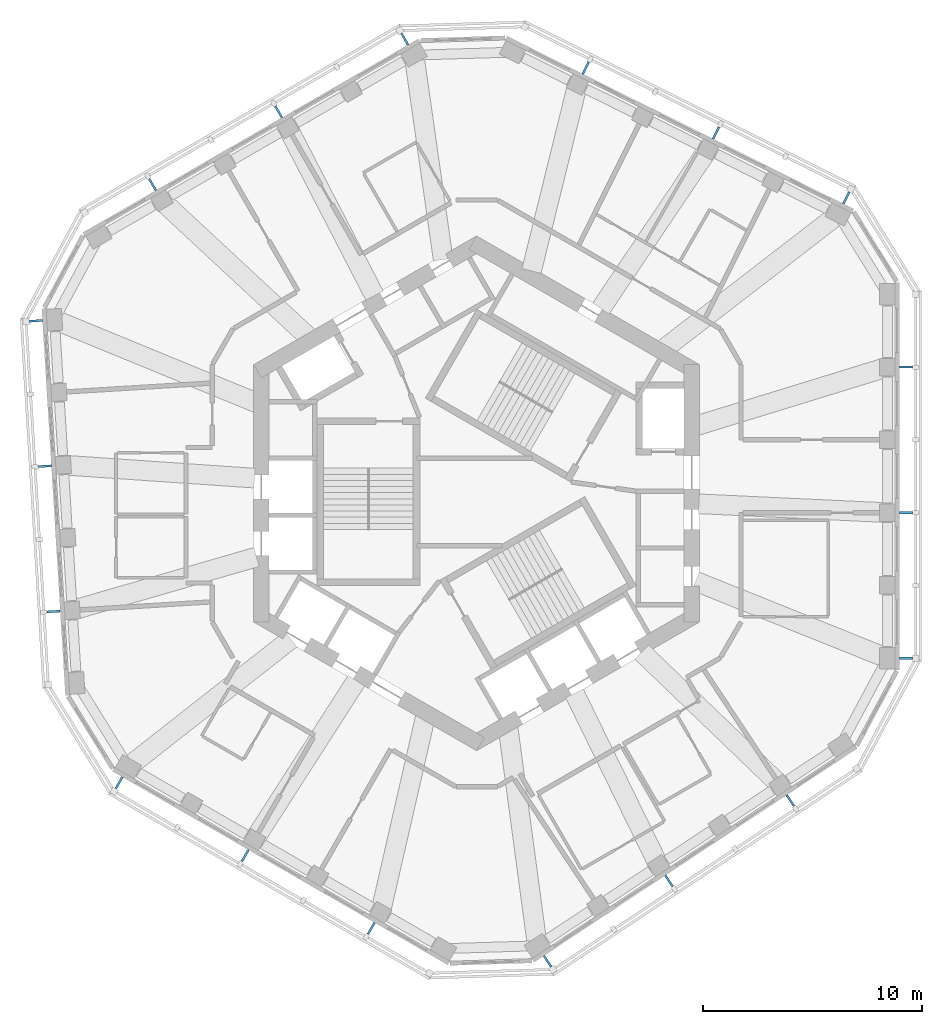
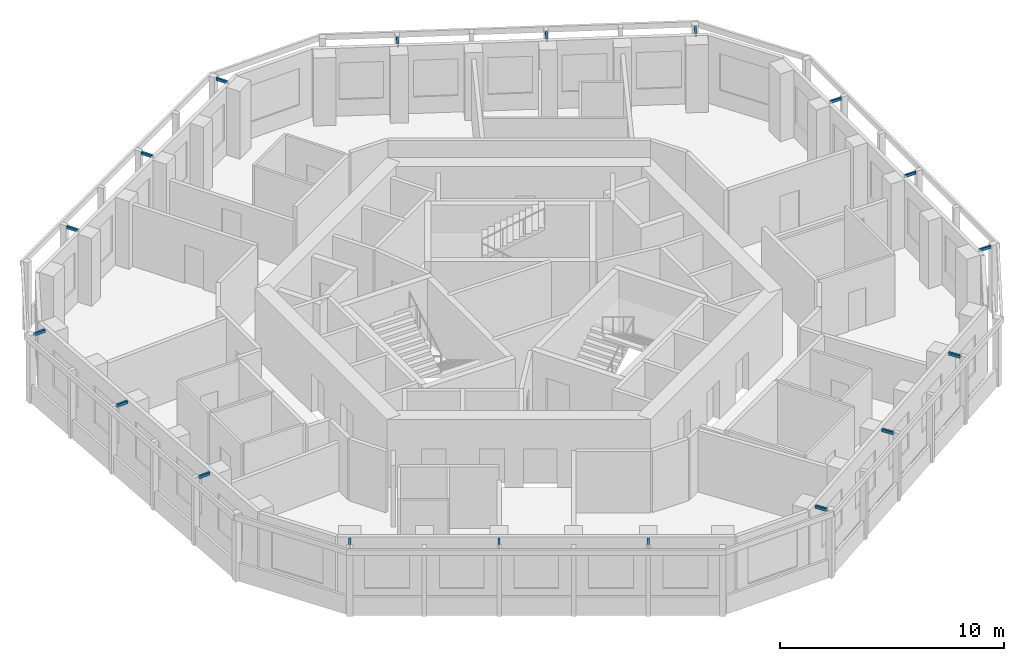
# One storey, part 10 of 11: 18 discrete accessories.
"""IFC4 building model written with IfcOpenShell, lengths in metres."""

from ifc_helpers import new_model, si_unit, direction, frame, origin, origin_2d, place, context, subcontext, project, spatial, rectangle, extrude, material, type_object, element, save


model = new_model("IFC4")

# Units and contexts
model_context = context("Model", 3, precision=1e-05, world=origin(), true_north=direction((0.0, 1.0)))
body_context = subcontext(model_context, "Body", "Model", "MODEL_VIEW")
ifc_project = project(units=[si_unit("LENGTHUNIT", "METRE"), si_unit("AREAUNIT", "SQUARE_METRE"), si_unit("VOLUMEUNIT", "CUBIC_METRE"), si_unit("PLANEANGLEUNIT", "RADIAN"), si_unit("MASSUNIT", "GRAM", prefix="KILO")], contexts=[model_context])

# Site, building, storey
site_placement = place(None, origin())
site = spatial("IfcSite", under=ifc_project, at=site_placement, CompositionType="ELEMENT")
building_placement = place(site_placement, origin())
building = spatial("IfcBuilding", under=site, at=building_placement, Name="Vanh Sen Convention Tower", CompositionType="ELEMENT")
storey_placement = place(building_placement, frame((0.0, 0.0, 274.60009765625)))
storey = spatial("IfcBuildingStorey", under=building, at=storey_placement, Name="L68", CompositionType="ELEMENT", Elevation=274.60009765625)

# Discrete accessories
ifc_material = material(Name="Steel S355", Category="steel")
discrete_accessory_type = type_object("IfcDiscreteAccessoryType", Name="Fin bracket 100 x 150", PredefinedType="BRACKET", material=ifc_material)
for number, where, z_axis, x_axis, name in (
    (1, (19.64990234375, -7.546630859375, 3.5), (0.0, 0.0, 1.0), (1.0, 0.0, 0.0), "Fin bracket E-1 L68"),
    (2, (19.64990234375, -0.88330078125, 3.5), (0.0, 0.0, 1.0), (1.0, 0.0, 0.0), "Fin bracket E-3 L68"),
    (3, (19.64990234375, 5.77978515625, 3.5), (0.0, 0.0, 1.0), (1.0, 0.0, 0.0), "Fin bracket E-5 L68"),
    (4, (16.922119140625, 13.52001953125, 3.5), (0.0, 0.0, 1.0), (0.44619781311, 0.894934361602, 0.0), "Fin bracket NE-1 L68"),
    (5, (10.958740234375, 16.4931640625, 3.5), (0.0, 0.0, 1.0), (0.44619781311, 0.894934361602, 0.0), "Fin bracket NE-3 L68"),
    (6, (4.99560546875, 19.46630859375, 3.5), (0.0, 0.0, 1.0), (0.44619781311, 0.894934361602, 0.0), "Fin bracket NE-5 L68"),
    (7, (-3.289306640625, 20.790771484375, 3.5), (0.0, 0.0, 1.0), (-0.5, 0.866025403784, 0.0), "Fin bracket NW-1 L68"),
    (8, (-9.059814453125, 17.458984375, 3.5), (0.0, 0.0, 1.0), (-0.5, 0.866025403784, 0.0), "Fin bracket NW-3 L68"),
    (9, (-14.83056640625, 14.12744140625, 3.5), (0.0, 0.0, 1.0), (-0.5, 0.866025403784, 0.0), "Fin bracket NW-5 L68"),
    (10, (-20.169677734375, 7.89501953125, 3.5), (0.0, 0.0, 1.0), (-0.998134798422, -0.061048539535, 0.0), "Fin bracket W-1 L68"),
    (11, (-19.7626953125, 1.243896484375, 3.5), (0.0, 0.0, 1.0), (-0.998134798422, -0.061048539535, 0.0), "Fin bracket W-3 L68"),
    (12, (-19.35595703125, -5.40673828125, 3.5), (0.0, 0.0, 1.0), (-0.998134798422, -0.061048539535, 0.0), "Fin bracket W-5 L68"),
    (13, (-16.360595703125, -13.243896484375, 3.5), (0.0, 0.0, 1.0), (-0.5, -0.866025403784, 0.0), "Fin bracket SW-1 L68"),
    (14, (-10.590087890625, -16.57568359375, 3.5), (0.0, 0.0, 1.0), (-0.5, -0.866025403784, 0.0), "Fin bracket SW-3 L68"),
    (15, (-4.819580078125, -19.9072265625, 3.5), (0.0, 0.0, 1.0), (-0.5, -0.866025403784, 0.0), "Fin bracket SW-5 L68"),
    (16, (3.24755859375, -21.414794921875, 3.5), (0.0, 0.0, 1.0), (0.551936985312, -0.833885822067, 0.0), "Fin bracket SE-1 L68"),
    (17, (8.803955078125, -17.737060546875, 3.5), (0.0, 0.0, 1.0), (0.551936985312, -0.833885822067, 0.0), "Fin bracket SE-3 L68"),
    (18, (14.3603515625, -14.059326171875, 3.5), (0.0, 0.0, 1.0), (0.551936985312, -0.833885822067, 0.0), "Fin bracket SE-5 L68"),
):
    element("IfcDiscreteAccessory", number, at=place(storey_placement, frame(where, z_axis=z_axis, x_axis=x_axis)), inside=storey, type_object=discrete_accessory_type, Name=name, PredefinedType="BRACKET", context=body_context, shape_type="SweptSolid", body=[
        extrude(rectangle(XDim=0.60009765625, YDim=0.10009765625, at=origin_2d()), origin(), (0.0, 0.0, 1.0), 0.14990234375),
    ])

save(model, "model.ifc")
